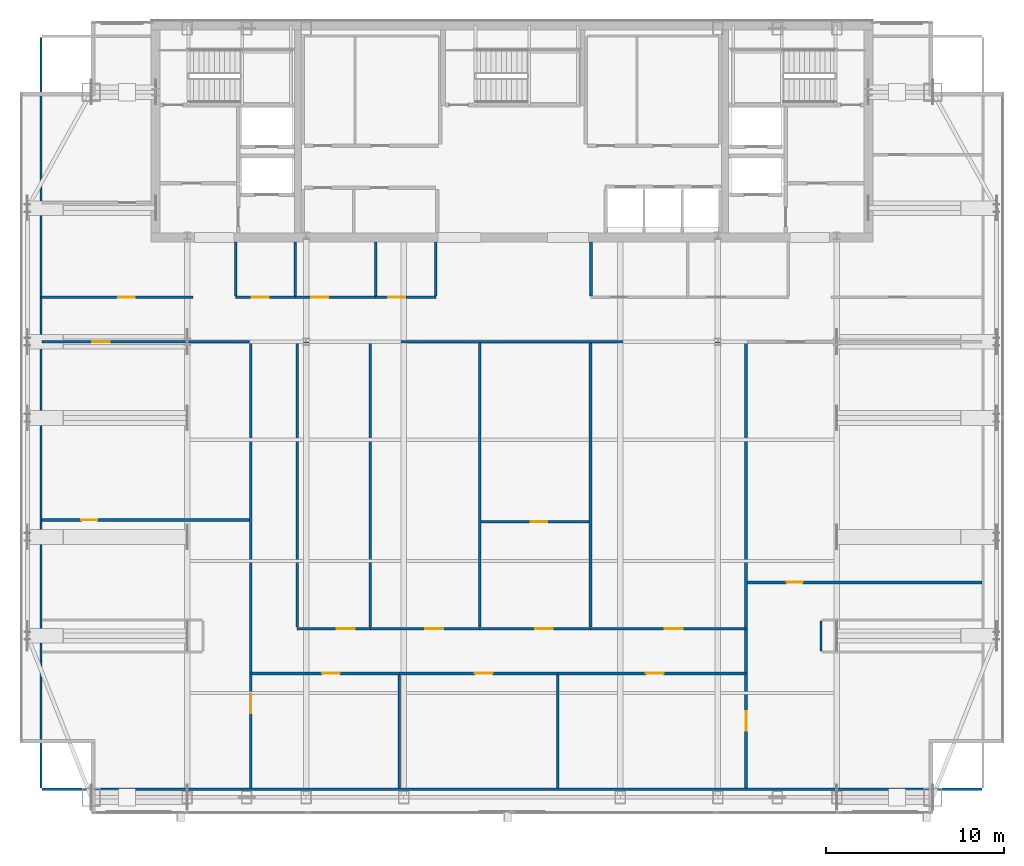
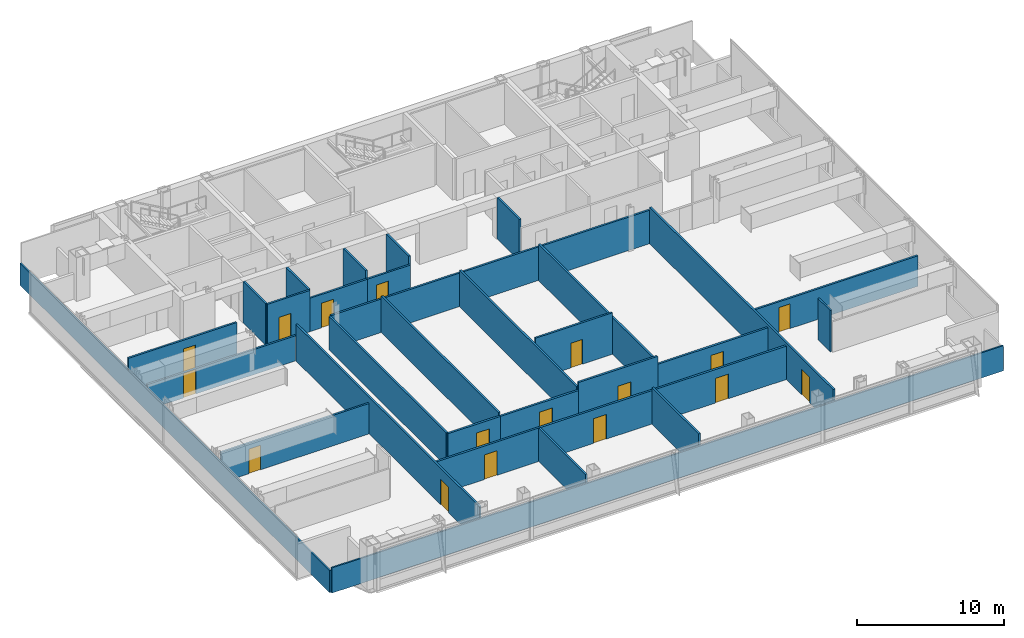
# One storey, part 21 of 26: 32 walls, 17 doors, 17 openings.
"""IFC4 building model written with IfcOpenShell, lengths in metres."""

from ifc_helpers import new_model, si_unit, direction, frame, frame_2d, origin, place, context, subcontext, project, spatial, rectangle, extrude, material, layer, layer_set, type_object, element, fill, save


model = new_model("IFC4")

# Units and contexts
model_context = context("Model", 3, precision=1e-05, world=origin(), true_north=direction((0.0, 1.0)))
body_context = subcontext(model_context, "Body", "Model", "MODEL_VIEW")
ifc_project = project(units=[si_unit("LENGTHUNIT", "METRE"), si_unit("AREAUNIT", "SQUARE_METRE"), si_unit("VOLUMEUNIT", "CUBIC_METRE"), si_unit("PLANEANGLEUNIT", "RADIAN"), si_unit("MASSUNIT", "GRAM", prefix="KILO")], contexts=[model_context])

# Site, building, storey
site_placement = place(None, origin())
site = spatial("IfcSite", under=ifc_project, at=site_placement, CompositionType="ELEMENT")
building_placement = place(site_placement, origin())
building = spatial("IfcBuilding", under=site, at=building_placement, Name="Khoronbel Lancet Exchange", CompositionType="ELEMENT")
storey_placement = place(building_placement, frame((0.0, 0.0, 287.800048828125)))
storey = spatial("IfcBuildingStorey", under=building, at=storey_placement, Name="L74", CompositionType="ELEMENT", Elevation=287.800048828125)

# Walls
ifc_material_1 = material(Name="Acoustic Metal-Stud & Mineral-Wool Gypsum Partition 120 mm", Category="gypsum")
ifc_layer_1 = layer(ifc_material_1, 0.1201171875, Name="Acoustic Metal-Stud & Mineral-Wool Gypsum Partition 120 mm")
ifc_layer_set_1 = layer_set([ifc_layer_1], Name="Acoustic Metal-Stud & Mineral-Wool Gypsum Partition 120 mm")
wall_type_1 = type_object("IfcWallType", Name="WL-PRT120", PredefinedType="PARTITIONING", material=ifc_layer_set_1)
for number, where, z_axis, x_axis, name in (
    (1, (20.949951171875, 38.280029296875, 0.0), (0.0, 0.0, 1.0), (0.0, 1.0, 0.0), "Level L74 interior partition PW-WC-0"),
    (2, (24.300048828125, 38.280029296875, 0.0), (0.0, 0.0, 1.0), (0.0, 1.0, 0.0), "Level L74 interior partition PW-WC-1"),
    (3, (28.800048828125, 38.280029296875, 0.0), (0.0, 0.0, 1.0), (0.0, 1.0, 0.0), "Level L74 interior partition PW-WC-2"),
    (4, (32.179931640625, 38.280029296875, 0.0), (0.0, 0.0, 1.0), (0.0, 1.0, 0.0), "Level L74 interior partition PW-WC-3"),
    (5, (40.8798828125, 38.280029296875, 0.0), (0.0, 0.0, 1.0), (0.0, 1.0, 0.0), "Level L74 interior partition PW-NP-0"),
):
    element("IfcWall", number, at=place(storey_placement, frame(where, z_axis=z_axis, x_axis=x_axis)), inside=storey, type_object=wall_type_1, Name=name, PredefinedType="PARTITIONING", context=body_context, shape_type="SweptSolid", body=[
        extrude(rectangle(XDim=3.02001953125, YDim=0.14990234375, at=frame_2d((1.510009765625, 0.0))), origin(), (0.0, 0.0, 1.0), 3.43994140625),
    ])

# Wall, opening, door
wall_1_placement = place(storey_placement, frame((10.094970703125, 25.699951171875, 0.0), z_axis=(0.0, 0.0, 1.0), x_axis=(1.0, 0.0, 0.0)))
wall_1 = element("IfcWall", 6, at=wall_1_placement, inside=storey, type_object=wall_type_1, Name="Level L74 interior partition PW-Z4-WH", PredefinedType="PARTITIONING", context=body_context, shape_type="SweptSolid", body=[
    extrude(rectangle(XDim=11.625, YDim=0.14990234375, at=frame_2d((5.8125, 0.0))), origin(), (0.0, 0.0, 1.0), 2.530029296875),
])
opening_1_placement = place(wall_1_placement, frame((2.199951171875, 0.0, 0.0)))
opening_1 = element("IfcOpeningElement", 7, at=opening_1_placement, cuts=wall_1, Name="Opening D5", PredefinedType="OPENING", context=body_context, shape_type="SweptSolid", body=[
    extrude(rectangle(XDim=0.89990234375, YDim=2.050048828125, at=frame_2d((0.449951171875, 1.02490234375))), frame((0.0, 0.0849609375, 0.0), z_axis=(0.0, -1.0, 0.0), x_axis=(1.0, 0.0, 0.0)), (0.0, 0.0, 1.0), 0.169921875),
])
ifc_material_2 = material(Name="Acoustic Timber Pantry & Support Door", Category="wood")
door_type_1 = type_object("IfcDoorType", Name="DR-D5", OperationType="NOTDEFINED", PredefinedType="DOOR", material=ifc_material_2)
door_1_placement = place(opening_1_placement, origin())
door_1 = element("IfcDoor", 8, at=door_1_placement, inside=storey, type_object=door_type_1, Name="West lens inner door L74-1", OperationType="SINGLE_SWING_LEFT", OverallHeight=2.050048828125, OverallWidth=0.89990234375, PredefinedType="DOOR", context=body_context, shape_type="SweptSolid", body=[
    extrude(rectangle(XDim=0.89990234375, YDim=2.050048828125, at=frame_2d((0.449951171875, 1.02490234375))), frame((0.0, 0.02490234375, 0.0), z_axis=(0.0, -1.0, 0.0), x_axis=(1.0, 0.0, 0.0)), (0.0, 0.0, 1.0), 0.050048828125),
])
fill(opening_1, door_1)

wall_2_placement = place(storey_placement, frame((49.659912109375, 22.199951171875, 0.0), z_axis=(0.0, 0.0, 1.0), x_axis=(1.0, 0.0, 0.0)))
wall_2 = element("IfcWall", 9, at=wall_2_placement, inside=storey, type_object=wall_type_1, Name="Level L74 interior partition PW-Z4-EH", PredefinedType="PARTITIONING", context=body_context, shape_type="SweptSolid", body=[
    extrude(rectangle(XDim=13.14501953125, YDim=0.14990234375, at=frame_2d((6.572509765625, 0.0))), origin(), (0.0, 0.0, 1.0), 2.530029296875),
])
opening_2_placement = place(wall_2_placement, frame((2.199951171875, 0.0, 0.0)))
opening_2 = element("IfcOpeningElement", 10, at=opening_2_placement, cuts=wall_2, Name="Opening D5", PredefinedType="OPENING", context=body_context, shape_type="SweptSolid", body=[
    extrude(rectangle(XDim=0.89990234375, YDim=2.050048828125, at=frame_2d((0.449951171875, 1.02490234375))), frame((0.0, 0.0849609375, 0.0), z_axis=(0.0, -1.0, 0.0), x_axis=(1.0, 0.0, 0.0)), (0.0, 0.0, 1.0), 0.169921875),
])
door_2_placement = place(opening_2_placement, origin())
door_2 = element("IfcDoor", 11, at=door_2_placement, inside=storey, type_object=door_type_1, Name="East lens inner door L74-1", OperationType="SINGLE_SWING_RIGHT", OverallHeight=2.050048828125, OverallWidth=0.89990234375, PredefinedType="DOOR", context=body_context, shape_type="SweptSolid", body=[
    extrude(rectangle(XDim=0.89990234375, YDim=2.050048828125, at=frame_2d((0.449951171875, 1.02490234375))), frame((0.0, 0.02490234375, 0.0), z_axis=(0.0, -1.0, 0.0), x_axis=(1.0, 0.0, 0.0)), (0.0, 0.0, 1.0), 0.050048828125),
])
fill(opening_2, door_2)

wall_3_placement = place(storey_placement, frame((34.71826171875, 25.607421875, 0.0), z_axis=(0.0, 0.0, 1.0), x_axis=(1.0, 0.0, 0.0)))
wall_3 = element("IfcWall", 12, at=wall_3_placement, inside=storey, type_object=wall_type_1, Name="Level L74 interior partition PW-Z4C-H3", PredefinedType="PARTITIONING", context=body_context, shape_type="SweptSolid", body=[
    extrude(rectangle(XDim=6.056640625, YDim=0.14990234375, at=frame_2d((3.0283203125, 0.0))), origin(), (0.0, 0.0, 1.0), 3.43994140625),
])
opening_3_placement = place(wall_3_placement, frame((2.797607421875, 0.0, 0.0)))
opening_3 = element("IfcOpeningElement", 13, at=opening_3_placement, cuts=wall_3, Name="Opening D5", PredefinedType="OPENING", context=body_context, shape_type="SweptSolid", body=[
    extrude(rectangle(XDim=0.89990234375, YDim=2.050048828125, at=frame_2d((0.449951171875, 1.02490234375))), frame((0.0, 0.0849609375, 0.0), z_axis=(0.0, -1.0, 0.0), x_axis=(1.0, 0.0, 0.0)), (0.0, 0.0, 1.0), 0.169921875),
])
door_3_placement = place(opening_3_placement, origin())
door_3 = element("IfcDoor", 14, at=door_3_placement, inside=storey, type_object=door_type_1, Name="Z4C inner door 3 L74-1", OperationType="SINGLE_SWING_RIGHT", OverallHeight=2.050048828125, OverallWidth=0.89990234375, PredefinedType="DOOR", context=body_context, shape_type="SweptSolid", body=[
    extrude(rectangle(XDim=0.89990234375, YDim=2.050048828125, at=frame_2d((0.449951171875, 1.02490234375))), frame((0.0, 0.02490234375, 0.0), z_axis=(0.0, -1.0, 0.0), x_axis=(1.0, 0.0, 0.0)), (0.0, 0.0, 1.0), 0.050048828125),
])
fill(opening_3, door_3)

# Walls
wall_4_placement = place(storey_placement, frame((10.030029296875, 10.6650390625, 0.0), z_axis=(0.0, 0.0, 1.0), x_axis=(0.0, 1.0, 0.0)))
element("IfcWall", 15, at=wall_4_placement, inside=storey, type_object=wall_type_1, Name="Level L74 interior partition PW-LIN-W", PredefinedType="PARTITIONING", context=body_context, shape_type="SweptSolid", body=[
    extrude(rectangle(XDim=42.10986328125, YDim=0.1201171875, at=frame_2d((21.054931640625, 0.0))), origin(), (0.0, 0.0, 1.0), 1.829833984375),
])
wall_5_placement = place(storey_placement, frame((10.094970703125, 10.60009765625, 0.0), z_axis=(0.0, 0.0, 1.0), x_axis=(1.0, 0.0, 0.0)))
element("IfcWall", 16, at=wall_5_placement, inside=storey, type_object=wall_type_1, Name="Level L74 interior partition PW-LIN-S", PredefinedType="PARTITIONING", context=body_context, shape_type="SweptSolid", body=[
    extrude(rectangle(XDim=52.7099609375, YDim=0.1201171875, at=frame_2d((26.35498046875, 0.0))), origin(), (0.0, 0.0, 1.0), 2.08984375),
])
wall_6_placement = place(storey_placement, frame((53.780029296875, 18.364990234375, 0.0), z_axis=(0.0, 0.0, 1.0), x_axis=(0.0, 1.0, 0.0)))
element("IfcWall", 17, at=wall_6_placement, inside=storey, type_object=wall_type_1, Name="Level L74 interior partition PW-BLK-EW", PredefinedType="PARTITIONING", context=body_context, shape_type="SweptSolid", body=[
    extrude(rectangle(XDim=1.669921875, YDim=0.1201171875, at=frame_2d((0.8349609375, 0.0))), origin(), (0.0, 0.0, 1.0), 3.43994140625),
])

# Wall, opening, door
ifc_material_3 = material(Name="Fire-Rated Twin-Stud Acoustic Gypsum Partition 150 mm", Category="gypsum")
ifc_layer_2 = layer(ifc_material_3, 0.14990234375, Name="Fire-Rated Twin-Stud Acoustic Gypsum Partition 150 mm")
ifc_layer_set_2 = layer_set([ifc_layer_2], Name="Fire-Rated Twin-Stud Acoustic Gypsum Partition 150 mm")
wall_type_2 = type_object("IfcWallType", Name="WL-PRT150C", PredefinedType="PARTITIONING", material=ifc_layer_set_2)
wall_7_placement = place(storey_placement, frame((20.949951171875, 38.199951171875, 0.0), z_axis=(0.0, 0.0, 1.0), x_axis=(1.0, 0.0, 0.0)))
wall_7 = element("IfcWall", 18, at=wall_7_placement, inside=storey, type_object=wall_type_2, Name="Level L74 interior partition PW-WC-S1", PredefinedType="PARTITIONING", context=body_context, shape_type="SweptSolid", body=[
    extrude(rectangle(XDim=3.35009765625, YDim=0.14990234375, at=frame_2d((1.675048828125, 0.0))), origin(), (0.0, 0.0, 1.0), 3.43994140625),
])
opening_4_placement = place(wall_7_placement, frame((0.89990234375, 0.0, 0.0)))
opening_4 = element("IfcOpeningElement", 19, at=opening_4_placement, cuts=wall_7, Name="Opening D4", PredefinedType="OPENING", context=body_context, shape_type="SweptSolid", body=[
    extrude(rectangle(XDim=0.949951171875, YDim=2.050048828125, at=frame_2d((0.47509765625, 1.02490234375))), frame((0.0, 0.0849609375, 0.0), z_axis=(0.0, -1.0, 0.0), x_axis=(1.0, 0.0, 0.0)), (0.0, 0.0, 1.0), 0.169921875),
])
ifc_material_4 = material(Name="Moisture-Resistant HPL Washroom Door", Category="wood")
door_type_2 = type_object("IfcDoorType", Name="DR-D4", OperationType="NOTDEFINED", PredefinedType="DOOR", material=ifc_material_4)
door_4_placement = place(opening_4_placement, origin())
door_4 = element("IfcDoor", 20, at=door_4_placement, inside=storey, type_object=door_type_2, Name="Male washroom door L74-1", OperationType="SINGLE_SWING_RIGHT", OverallHeight=2.050048828125, OverallWidth=0.949951171875, PredefinedType="DOOR", context=body_context, shape_type="SweptSolid", body=[
    extrude(rectangle(XDim=0.949951171875, YDim=2.050048828125, at=frame_2d((0.47509765625, 1.02490234375))), frame((0.0, 0.02490234375, 0.0), z_axis=(0.0, -1.0, 0.0), x_axis=(1.0, 0.0, 0.0)), (0.0, 0.0, 1.0), 0.050048828125),
])
fill(opening_4, door_4)

wall_8_placement = place(storey_placement, frame((24.300048828125, 38.199951171875, 0.0), z_axis=(0.0, 0.0, 1.0), x_axis=(1.0, 0.0, 0.0)))
wall_8 = element("IfcWall", 21, at=wall_8_placement, inside=storey, type_object=wall_type_2, Name="Level L74 interior partition PW-WC-S2", PredefinedType="PARTITIONING", context=body_context, shape_type="SweptSolid", body=[
    extrude(rectangle(XDim=4.5, YDim=0.14990234375, at=frame_2d((2.25, 0.0))), origin(), (0.0, 0.0, 1.0), 2.780029296875),
])
opening_5_placement = place(wall_8_placement, frame((0.89990234375, 0.0, 0.0)))
opening_5 = element("IfcOpeningElement", 22, at=opening_5_placement, cuts=wall_8, Name="Opening D4", PredefinedType="OPENING", context=body_context, shape_type="SweptSolid", body=[
    extrude(rectangle(XDim=0.949951171875, YDim=2.050048828125, at=frame_2d((0.47509765625, 1.02490234375))), frame((0.0, 0.0849609375, 0.0), z_axis=(0.0, -1.0, 0.0), x_axis=(1.0, 0.0, 0.0)), (0.0, 0.0, 1.0), 0.169921875),
])
door_5_placement = place(opening_5_placement, origin())
door_5 = element("IfcDoor", 23, at=door_5_placement, inside=storey, type_object=door_type_2, Name="Female washroom door L74-1", OperationType="SINGLE_SWING_LEFT", OverallHeight=2.050048828125, OverallWidth=0.949951171875, PredefinedType="DOOR", context=body_context, shape_type="SweptSolid", body=[
    extrude(rectangle(XDim=0.949951171875, YDim=2.050048828125, at=frame_2d((0.47509765625, 1.02490234375))), frame((0.0, 0.02490234375, 0.0), z_axis=(0.0, -1.0, 0.0), x_axis=(1.0, 0.0, 0.0)), (0.0, 0.0, 1.0), 0.050048828125),
])
fill(opening_5, door_5)

wall_9_placement = place(storey_placement, frame((28.800048828125, 38.199951171875, 0.0), z_axis=(0.0, 0.0, 1.0), x_axis=(1.0, 0.0, 0.0)))
wall_9 = element("IfcWall", 24, at=wall_9_placement, inside=storey, type_object=wall_type_2, Name="Level L74 interior partition PW-WC-S3", PredefinedType="PARTITIONING", context=body_context, shape_type="SweptSolid", body=[
    extrude(rectangle(XDim=3.3798828125, YDim=0.14990234375, at=frame_2d((1.68994140625, 0.0))), origin(), (0.0, 0.0, 1.0), 2.780029296875),
])
opening_6_placement = place(wall_9_placement, frame((0.699951171875, 0.0, 0.0)))
opening_6 = element("IfcOpeningElement", 25, at=opening_6_placement, cuts=wall_9, Name="Opening D4", PredefinedType="OPENING", context=body_context, shape_type="SweptSolid", body=[
    extrude(rectangle(XDim=0.949951171875, YDim=2.050048828125, at=frame_2d((0.47509765625, 1.02490234375))), frame((0.0, 0.0849609375, 0.0), z_axis=(0.0, -1.0, 0.0), x_axis=(1.0, 0.0, 0.0)), (0.0, 0.0, 1.0), 0.169921875),
])
door_6_placement = place(opening_6_placement, origin())
door_6 = element("IfcDoor", 26, at=door_6_placement, inside=storey, type_object=door_type_2, Name="Accessible WC door L74-1", OperationType="SINGLE_SWING_RIGHT", OverallHeight=2.050048828125, OverallWidth=0.949951171875, PredefinedType="DOOR", context=body_context, shape_type="SweptSolid", body=[
    extrude(rectangle(XDim=0.949951171875, YDim=2.050048828125, at=frame_2d((0.47509765625, 1.02490234375))), frame((0.0, 0.02490234375, 0.0), z_axis=(0.0, -1.0, 0.0), x_axis=(1.0, 0.0, 0.0)), (0.0, 0.0, 1.0), 0.050048828125),
])
fill(opening_6, door_6)

wall_10_placement = place(storey_placement, frame((10.030029296875, 38.199951171875, 0.0), z_axis=(0.0, 0.0, 1.0), x_axis=(1.0, 0.0, 0.0)))
wall_10 = element("IfcWall", 27, at=wall_10_placement, inside=storey, type_object=wall_type_2, Name="Level L74 interior partition PW-NW-S", PredefinedType="PARTITIONING", context=body_context, shape_type="SweptSolid", body=[
    extrude(rectangle(XDim=8.52001953125, YDim=0.14990234375, at=frame_2d((4.260009765625, 0.0))), origin(), (0.0, 0.0, 1.0), 2.780029296875),
])
opening_7_placement = place(wall_10_placement, frame((4.320068359375, 0.0, 0.0)))
opening_7 = element("IfcOpeningElement", 28, at=opening_7_placement, cuts=wall_10, Name="Opening D1", PredefinedType="OPENING", context=body_context, shape_type="SweptSolid", body=[
    extrude(rectangle(XDim=0.949951171875, YDim=2.050048828125, at=frame_2d((0.47509765625, 1.02490234375))), frame((0.0, 0.0849609375, 0.0), z_axis=(0.0, -1.0, 0.0), x_axis=(1.0, 0.0, 0.0)), (0.0, 0.0, 1.0), 0.169921875),
])
ifc_material_5 = material(Name="Acoustic Veneered Timber & Bronze Frame Door", Category="wood")
door_type_3 = type_object("IfcDoorType", Name="DR-D1", OperationType="NOTDEFINED", PredefinedType="DOOR", material=ifc_material_5)
door_7_placement = place(opening_7_placement, origin())
door_7 = element("IfcDoor", 29, at=door_7_placement, inside=storey, type_object=door_type_3, Name="NW corner room door L74-1", OperationType="SINGLE_SWING_LEFT", OverallHeight=2.050048828125, OverallWidth=0.949951171875, PredefinedType="DOOR", context=body_context, shape_type="SweptSolid", body=[
    extrude(rectangle(XDim=0.949951171875, YDim=2.050048828125, at=frame_2d((0.47509765625, 1.02490234375))), frame((0.0, 0.02490234375, 0.0), z_axis=(0.0, -1.0, 0.0), x_axis=(1.0, 0.0, 0.0)), (0.0, 0.0, 1.0), 0.050048828125),
])
fill(opening_7, door_7)

wall_11_placement = place(storey_placement, frame((21.800048828125, 10.6650390625, 0.0), z_axis=(0.0, 0.0, 1.0), x_axis=(0.0, 1.0, 0.0)))
wall_11 = element("IfcWall", 30, at=wall_11_placement, inside=storey, type_object=wall_type_2, Name="Level L74 interior partition PW-Z4-WW", PredefinedType="PARTITIONING", context=body_context, shape_type="SweptSolid", body=[
    extrude(rectangle(XDim=24.955078125, YDim=0.14990234375, at=frame_2d((12.4775390625, 0.0))), origin(), (0.0, 0.0, 1.0), 3.030029296875),
])
opening_8_placement = place(wall_11_placement, frame((4.199951171875, 0.0, 0.0)))
opening_8 = element("IfcOpeningElement", 31, at=opening_8_placement, cuts=wall_11, Name="Opening D6", PredefinedType="OPENING", context=body_context, shape_type="SweptSolid", body=[
    extrude(rectangle(XDim=1.10009765625, YDim=2.10009765625, at=frame_2d((0.550048828125, 1.050048828125))), frame((0.0, 0.0849609375, 0.0), z_axis=(0.0, -1.0, 0.0), x_axis=(1.0, 0.0, 0.0)), (0.0, 0.0, 1.0), 0.169921875),
])
ifc_material_6 = material(Name="Acoustic Bronze-Veneer Executive Suite Door", Category="wood")
door_type_4 = type_object("IfcDoorType", Name="DR-D6", OperationType="NOTDEFINED", PredefinedType="DOOR", material=ifc_material_6)
door_8_placement = place(opening_8_placement, origin())
door_8 = element("IfcDoor", 32, at=door_8_placement, inside=storey, type_object=door_type_4, Name="West lens presidential door L74-1", OperationType="SINGLE_SWING_LEFT", OverallHeight=2.10009765625, OverallWidth=1.10009765625, PredefinedType="DOOR", context=body_context, shape_type="SweptSolid", body=[
    extrude(rectangle(XDim=1.10009765625, YDim=2.10009765625, at=frame_2d((0.550048828125, 1.050048828125))), frame((0.0, 0.02490234375, 0.0), z_axis=(0.0, -1.0, 0.0), x_axis=(1.0, 0.0, 0.0)), (0.0, 0.0, 1.0), 0.050048828125),
])
fill(opening_8, door_8)

wall_12_placement = place(storey_placement, frame((10.094970703125, 35.699951171875, 0.0), z_axis=(0.0, 0.0, 1.0), x_axis=(1.0, 0.0, 0.0)))
wall_12 = element("IfcWall", 33, at=wall_12_placement, inside=storey, type_object=wall_type_2, Name="Level L74 interior partition PW-Z4-WN", PredefinedType="PARTITIONING", context=body_context, shape_type="SweptSolid", body=[
    extrude(rectangle(XDim=11.625, YDim=0.14990234375, at=frame_2d((5.8125, 0.0))), origin(), (0.0, 0.0, 1.0), 2.08984375),
])
opening_9_placement = place(wall_12_placement, frame((2.800048828125, 0.0, 0.0)))
opening_9 = element("IfcOpeningElement", 34, at=opening_9_placement, cuts=wall_12, Name="Opening D2", PredefinedType="OPENING", context=body_context, shape_type="SweptSolid", body=[
    extrude(rectangle(XDim=1.0, YDim=2.050048828125, at=frame_2d((0.5, 1.02490234375))), frame((0.0, 0.0849609375, 0.0), z_axis=(0.0, -1.0, 0.0), x_axis=(1.0, 0.0, 0.0)), (0.0, 0.0, 1.0), 0.169921875),
])
door_type_5 = type_object("IfcDoorType", Name="DR-D2", OperationType="NOTDEFINED", PredefinedType="DOOR", material=ifc_material_5)
door_9_placement = place(opening_9_placement, origin())
door_9 = element("IfcDoor", 35, at=door_9_placement, inside=storey, type_object=door_type_5, Name="West lens north door L74-1", OperationType="SINGLE_SWING_RIGHT", OverallHeight=2.050048828125, OverallWidth=1.0, PredefinedType="DOOR", context=body_context, shape_type="SweptSolid", body=[
    extrude(rectangle(XDim=1.0, YDim=2.050048828125, at=frame_2d((0.5, 1.02490234375))), frame((0.0, 0.02490234375, 0.0), z_axis=(0.0, -1.0, 0.0), x_axis=(1.0, 0.0, 0.0)), (0.0, 0.0, 1.0), 0.050048828125),
])
fill(opening_9, door_9)

# Wall
wall_13_placement = place(storey_placement, frame((24.39990234375, 19.68505859375, 0.0), z_axis=(0.0, 0.0, 1.0), x_axis=(0.0, 1.0, 0.0)))
element("IfcWall", 36, at=wall_13_placement, inside=storey, type_object=wall_type_2, Name="Level L74 interior partition PW-Z4-WE", PredefinedType="PARTITIONING", context=body_context, shape_type="SweptSolid", body=[
    extrude(rectangle(XDim=15.93505859375, YDim=0.14990234375, at=frame_2d((7.967529296875, 0.0))), origin(), (0.0, 0.0, 1.0), 2.780029296875),
])

# Wall, opening, door
wall_14_placement = place(storey_placement, frame((49.580078125, 10.6650390625, 0.0), z_axis=(0.0, 0.0, 1.0), x_axis=(0.0, 1.0, 0.0)))
wall_14 = element("IfcWall", 37, at=wall_14_placement, inside=storey, type_object=wall_type_2, Name="Level L74 interior partition PW-Z4-PE", PredefinedType="PARTITIONING", context=body_context, shape_type="SweptSolid", body=[
    extrude(rectangle(XDim=24.955078125, YDim=0.14990234375, at=frame_2d((12.4775390625, 0.0))), origin(), (0.0, 0.0, 1.0), 3.030029296875),
])
opening_10_placement = place(wall_14_placement, frame((3.199951171875, 0.0, 0.0)))
opening_10 = element("IfcOpeningElement", 38, at=opening_10_placement, cuts=wall_14, Name="Opening D6", PredefinedType="OPENING", context=body_context, shape_type="SweptSolid", body=[
    extrude(rectangle(XDim=1.10009765625, YDim=2.10009765625, at=frame_2d((0.550048828125, 1.050048828125))), frame((0.0, 0.0849609375, 0.0), z_axis=(0.0, -1.0, 0.0), x_axis=(1.0, 0.0, 0.0)), (0.0, 0.0, 1.0), 0.169921875),
])
door_10_placement = place(opening_10_placement, origin())
door_10 = element("IfcDoor", 39, at=door_10_placement, inside=storey, type_object=door_type_4, Name="East lens south door L74-1", OperationType="SINGLE_SWING_RIGHT", OverallHeight=2.10009765625, OverallWidth=1.10009765625, PredefinedType="DOOR", context=body_context, shape_type="SweptSolid", body=[
    extrude(rectangle(XDim=1.10009765625, YDim=2.10009765625, at=frame_2d((0.550048828125, 1.050048828125))), frame((0.0, 0.02490234375, 0.0), z_axis=(0.0, -1.0, 0.0), x_axis=(1.0, 0.0, 0.0)), (0.0, 0.0, 1.0), 0.050048828125),
])
fill(opening_10, door_10)

# Walls
wall_15_placement = place(storey_placement, frame((24.47998046875, 35.699951171875, 0.0), z_axis=(0.0, 0.0, 1.0), x_axis=(1.0, 0.0, 0.0)))
element("IfcWall", 40, at=wall_15_placement, inside=storey, type_object=wall_type_2, Name="Level L74 interior partition PW-Z4-EN1", PredefinedType="PARTITIONING", context=body_context, shape_type="SweptSolid", body=[
    extrude(rectangle(XDim=25.02001953125, YDim=0.14990234375, at=frame_2d((12.510009765625, 0.0))), origin(), (0.0, 0.0, 1.0), 2.780029296875),
])
for number, where, z_axis, x_axis, name in (
    (41, (28.50341796875, 19.68505859375, 0.0), (0.0, 0.0, 1.0), (0.0, 1.0, 0.0), "Level L74 interior partition PW-Z4C-V1"),
    (42, (34.63818359375, 19.68505859375, 0.0), (0.0, 0.0, 1.0), (0.0, 1.0, 0.0), "Level L74 interior partition PW-Z4C-V2"),
    (43, (40.85498046875, 19.68505859375, 0.0), (0.0, 0.0, 1.0), (0.0, 1.0, 0.0), "Level L74 interior partition PW-Z4C-V3"),
):
    element("IfcWall", number, at=place(storey_placement, frame(where, z_axis=z_axis, x_axis=x_axis)), inside=storey, type_object=wall_type_2, Name=name, PredefinedType="PARTITIONING", context=body_context, shape_type="SweptSolid", body=[
        extrude(rectangle(XDim=15.93505859375, YDim=0.14990234375, at=frame_2d((7.967529296875, 0.0))), origin(), (0.0, 0.0, 1.0), 3.030029296875),
    ])
wall_16_placement = place(storey_placement, frame((30.134033203125, 10.6650390625, 0.0), z_axis=(0.0, 0.0, 1.0), x_axis=(0.0, 1.0, 0.0)))
element("IfcWall", 44, at=wall_16_placement, inside=storey, type_object=wall_type_2, Name="Level L74 interior partition PW-Z4S-V1", PredefinedType="PARTITIONING", context=body_context, shape_type="SweptSolid", body=[
    extrude(rectangle(XDim=6.349853515625, YDim=0.14990234375, at=frame_2d((3.1748046875, 0.0))), origin(), (0.0, 0.0, 1.0), 2.780029296875),
])
wall_17_placement = place(storey_placement, frame((39.023681640625, 10.6650390625, 0.0), z_axis=(0.0, 0.0, 1.0), x_axis=(0.0, 1.0, 0.0)))
element("IfcWall", 45, at=wall_17_placement, inside=storey, type_object=wall_type_2, Name="Level L74 interior partition PW-Z4S-V2", PredefinedType="PARTITIONING", context=body_context, shape_type="SweptSolid", body=[
    extrude(rectangle(XDim=6.349853515625, YDim=0.14990234375, at=frame_2d((3.1748046875, 0.0))), origin(), (0.0, 0.0, 1.0), 3.030029296875),
])

# Wall, opening, door
ifc_material_7 = material(Name="Fire-Rated Twin-Stud Acoustic Gypsum Partition 160 mm", Category="gypsum")
ifc_layer_3 = layer(ifc_material_7, 0.159912109375, Name="Fire-Rated Twin-Stud Acoustic Gypsum Partition 160 mm")
ifc_layer_set_3 = layer_set([ifc_layer_3], Name="Fire-Rated Twin-Stud Acoustic Gypsum Partition 160 mm")
wall_type_3 = type_object("IfcWallType", Name="WL-PRT160C", PredefinedType="PARTITIONING", material=ifc_layer_set_3)
wall_18_placement = place(storey_placement, frame((24.39990234375, 19.60009765625, 0.0), z_axis=(0.0, 0.0, 1.0), x_axis=(1.0, 0.0, 0.0)))
wall_18 = element("IfcWall", 46, at=wall_18_placement, inside=storey, type_object=wall_type_3, Name="Level L74 interior partition PW-Z4C-COR1", PredefinedType="PARTITIONING", context=body_context, shape_type="SweptSolid", body=[
    extrude(rectangle(XDim=4.103515625, YDim=0.159912109375, at=frame_2d((2.0517578125, 0.0))), origin(), (0.0, 0.0, 1.0), 2.780029296875),
])
opening_11_placement = place(wall_18_placement, frame((2.223388671875, 0.0, 0.0)))
opening_11 = element("IfcOpeningElement", 47, at=opening_11_placement, cuts=wall_18, Name="Opening D2", PredefinedType="OPENING", context=body_context, shape_type="SweptSolid", body=[
    extrude(rectangle(XDim=1.0, YDim=2.050048828125, at=frame_2d((0.5, 1.02490234375))), frame((0.0, 0.08984375, 0.0), z_axis=(0.0, -1.0, 0.0), x_axis=(1.0, 0.0, 0.0)), (0.0, 0.0, 1.0), 0.179931640625),
])
door_11_placement = place(opening_11_placement, origin())
door_11 = element("IfcDoor", 48, at=door_11_placement, inside=storey, type_object=door_type_5, Name="Z4C bay 1 door L74-1", OperationType="SINGLE_SWING_LEFT", OverallHeight=2.050048828125, OverallWidth=1.0, PredefinedType="DOOR", context=body_context, shape_type="SweptSolid", body=[
    extrude(rectangle(XDim=1.0, YDim=2.050048828125, at=frame_2d((0.5, 1.02490234375))), frame((0.0, 0.02490234375, 0.0), z_axis=(0.0, -1.0, 0.0), x_axis=(1.0, 0.0, 0.0)), (0.0, 0.0, 1.0), 0.050048828125),
])
fill(opening_11, door_11)

wall_19_placement = place(storey_placement, frame((28.50341796875, 19.60009765625, 0.0), z_axis=(0.0, 0.0, 1.0), x_axis=(1.0, 0.0, 0.0)))
wall_19 = element("IfcWall", 49, at=wall_19_placement, inside=storey, type_object=wall_type_3, Name="Level L74 interior partition PW-Z4C-COR2", PredefinedType="PARTITIONING", context=body_context, shape_type="SweptSolid", body=[
    extrude(rectangle(XDim=6.134765625, YDim=0.159912109375, at=frame_2d((3.0673828125, 0.0))), origin(), (0.0, 0.0, 1.0), 2.780029296875),
])
opening_12_placement = place(wall_19_placement, frame((3.07666015625, 0.0, 0.0)))
opening_12 = element("IfcOpeningElement", 50, at=opening_12_placement, cuts=wall_19, Name="Opening D2", PredefinedType="OPENING", context=body_context, shape_type="SweptSolid", body=[
    extrude(rectangle(XDim=1.0, YDim=2.050048828125, at=frame_2d((0.5, 1.02490234375))), frame((0.0, 0.08984375, 0.0), z_axis=(0.0, -1.0, 0.0), x_axis=(1.0, 0.0, 0.0)), (0.0, 0.0, 1.0), 0.179931640625),
])
door_12_placement = place(opening_12_placement, origin())
door_12 = element("IfcDoor", 51, at=door_12_placement, inside=storey, type_object=door_type_5, Name="Z4C bay 2 door L74-1", OperationType="SINGLE_SWING_RIGHT", OverallHeight=2.050048828125, OverallWidth=1.0, PredefinedType="DOOR", context=body_context, shape_type="SweptSolid", body=[
    extrude(rectangle(XDim=1.0, YDim=2.050048828125, at=frame_2d((0.5, 1.02490234375))), frame((0.0, 0.02490234375, 0.0), z_axis=(0.0, -1.0, 0.0), x_axis=(1.0, 0.0, 0.0)), (0.0, 0.0, 1.0), 0.050048828125),
])
fill(opening_12, door_12)

wall_20_placement = place(storey_placement, frame((34.63818359375, 19.60009765625, 0.0), z_axis=(0.0, 0.0, 1.0), x_axis=(1.0, 0.0, 0.0)))
wall_20 = element("IfcWall", 52, at=wall_20_placement, inside=storey, type_object=wall_type_3, Name="Level L74 interior partition PW-Z4C-COR3", PredefinedType="PARTITIONING", context=body_context, shape_type="SweptSolid", body=[
    extrude(rectangle(XDim=6.216796875, YDim=0.159912109375, at=frame_2d((3.1083984375, 0.0))), origin(), (0.0, 0.0, 1.0), 3.43994140625),
])
opening_13_placement = place(wall_20_placement, frame((3.111083984375, 0.0, 0.0)))
opening_13 = element("IfcOpeningElement", 53, at=opening_13_placement, cuts=wall_20, Name="Opening D2", PredefinedType="OPENING", context=body_context, shape_type="SweptSolid", body=[
    extrude(rectangle(XDim=1.0, YDim=2.050048828125, at=frame_2d((0.5, 1.02490234375))), frame((0.0, 0.08984375, 0.0), z_axis=(0.0, -1.0, 0.0), x_axis=(1.0, 0.0, 0.0)), (0.0, 0.0, 1.0), 0.179931640625),
])
door_13_placement = place(opening_13_placement, origin())
door_13 = element("IfcDoor", 54, at=door_13_placement, inside=storey, type_object=door_type_5, Name="Z4C bay 3 door L74-1", OperationType="SINGLE_SWING_LEFT", OverallHeight=2.050048828125, OverallWidth=1.0, PredefinedType="DOOR", context=body_context, shape_type="SweptSolid", body=[
    extrude(rectangle(XDim=1.0, YDim=2.050048828125, at=frame_2d((0.5, 1.02490234375))), frame((0.0, 0.02490234375, 0.0), z_axis=(0.0, -1.0, 0.0), x_axis=(1.0, 0.0, 0.0)), (0.0, 0.0, 1.0), 0.050048828125),
])
fill(opening_13, door_13)

wall_21_placement = place(storey_placement, frame((40.85498046875, 19.60009765625, 0.0), z_axis=(0.0, 0.0, 1.0), x_axis=(1.0, 0.0, 0.0)))
wall_21 = element("IfcWall", 55, at=wall_21_placement, inside=storey, type_object=wall_type_3, Name="Level L74 interior partition PW-Z4C-COR4", PredefinedType="PARTITIONING", context=body_context, shape_type="SweptSolid", body=[
    extrude(rectangle(XDim=8.72509765625, YDim=0.159912109375, at=frame_2d((4.362548828125, 0.0))), origin(), (0.0, 0.0, 1.0), 2.780029296875),
])
opening_14_placement = place(wall_21_placement, frame((4.16455078125, 0.0, 0.0)))
opening_14 = element("IfcOpeningElement", 56, at=opening_14_placement, cuts=wall_21, Name="Opening D2", PredefinedType="OPENING", context=body_context, shape_type="SweptSolid", body=[
    extrude(rectangle(XDim=1.0, YDim=2.050048828125, at=frame_2d((0.5, 1.02490234375))), frame((0.0, 0.08984375, 0.0), z_axis=(0.0, -1.0, 0.0), x_axis=(1.0, 0.0, 0.0)), (0.0, 0.0, 1.0), 0.179931640625),
])
door_14_placement = place(opening_14_placement, origin())
door_14 = element("IfcDoor", 57, at=door_14_placement, inside=storey, type_object=door_type_5, Name="Z4C bay 4 door L74-1", OperationType="SINGLE_SWING_LEFT", OverallHeight=2.050048828125, OverallWidth=1.0, PredefinedType="DOOR", context=body_context, shape_type="SweptSolid", body=[
    extrude(rectangle(XDim=1.0, YDim=2.050048828125, at=frame_2d((0.5, 1.02490234375))), frame((0.0, 0.02490234375, 0.0), z_axis=(0.0, -1.0, 0.0), x_axis=(1.0, 0.0, 0.0)), (0.0, 0.0, 1.0), 0.050048828125),
])
fill(opening_14, door_14)

wall_22_placement = place(storey_placement, frame((21.800048828125, 17.10009765625, 0.0), z_axis=(0.0, 0.0, 1.0), x_axis=(1.0, 0.0, 0.0)))
wall_22 = element("IfcWall", 58, at=wall_22_placement, inside=storey, type_object=wall_type_3, Name="Level L74 interior partition PW-Z4S-COR1", PredefinedType="PARTITIONING", context=body_context, shape_type="SweptSolid", body=[
    extrude(rectangle(XDim=8.333984375, YDim=0.159912109375, at=frame_2d((4.1669921875, 0.0))), origin(), (0.0, 0.0, 1.0), 2.780029296875),
])
opening_15_placement = place(wall_22_placement, frame((4.000244140625, 0.0, 0.0)))
opening_15 = element("IfcOpeningElement", 59, at=opening_15_placement, cuts=wall_22, Name="Opening D2", PredefinedType="OPENING", context=body_context, shape_type="SweptSolid", body=[
    extrude(rectangle(XDim=1.0, YDim=2.050048828125, at=frame_2d((0.5, 1.02490234375))), frame((0.0, 0.08984375, 0.0), z_axis=(0.0, -1.0, 0.0), x_axis=(1.0, 0.0, 0.0)), (0.0, 0.0, 1.0), 0.179931640625),
])
door_15_placement = place(opening_15_placement, origin())
door_15 = element("IfcDoor", 60, at=door_15_placement, inside=storey, type_object=door_type_5, Name="Z4S bay 1 door L74-1", OperationType="SINGLE_SWING_RIGHT", OverallHeight=2.050048828125, OverallWidth=1.0, PredefinedType="DOOR", context=body_context, shape_type="SweptSolid", body=[
    extrude(rectangle(XDim=1.0, YDim=2.050048828125, at=frame_2d((0.5, 1.02490234375))), frame((0.0, 0.02490234375, 0.0), z_axis=(0.0, -1.0, 0.0), x_axis=(1.0, 0.0, 0.0)), (0.0, 0.0, 1.0), 0.050048828125),
])
fill(opening_15, door_15)

wall_23_placement = place(storey_placement, frame((30.134033203125, 17.10009765625, 0.0), z_axis=(0.0, 0.0, 1.0), x_axis=(1.0, 0.0, 0.0)))
wall_23 = element("IfcWall", 61, at=wall_23_placement, inside=storey, type_object=wall_type_3, Name="Level L74 interior partition PW-Z4S-COR2", PredefinedType="PARTITIONING", context=body_context, shape_type="SweptSolid", body=[
    extrude(rectangle(XDim=8.8896484375, YDim=0.159912109375, at=frame_2d((4.44482421875, 0.0))), origin(), (0.0, 0.0, 1.0), 2.780029296875),
])
opening_16_placement = place(wall_23_placement, frame((4.233642578125, 0.0, 0.0)))
opening_16 = element("IfcOpeningElement", 62, at=opening_16_placement, cuts=wall_23, Name="Opening D2", PredefinedType="OPENING", context=body_context, shape_type="SweptSolid", body=[
    extrude(rectangle(XDim=1.0, YDim=2.050048828125, at=frame_2d((0.5, 1.02490234375))), frame((0.0, 0.08984375, 0.0), z_axis=(0.0, -1.0, 0.0), x_axis=(1.0, 0.0, 0.0)), (0.0, 0.0, 1.0), 0.179931640625),
])
door_16_placement = place(opening_16_placement, origin())
door_16 = element("IfcDoor", 63, at=door_16_placement, inside=storey, type_object=door_type_5, Name="Z4S bay 2 door L74-1", OperationType="SINGLE_SWING_LEFT", OverallHeight=2.050048828125, OverallWidth=1.0, PredefinedType="DOOR", context=body_context, shape_type="SweptSolid", body=[
    extrude(rectangle(XDim=1.0, YDim=2.050048828125, at=frame_2d((0.5, 1.02490234375))), frame((0.0, 0.02490234375, 0.0), z_axis=(0.0, -1.0, 0.0), x_axis=(1.0, 0.0, 0.0)), (0.0, 0.0, 1.0), 0.050048828125),
])
fill(opening_16, door_16)

wall_24_placement = place(storey_placement, frame((39.023681640625, 17.10009765625, 0.0), z_axis=(0.0, 0.0, 1.0), x_axis=(1.0, 0.0, 0.0)))
wall_24 = element("IfcWall", 64, at=wall_24_placement, inside=storey, type_object=wall_type_3, Name="Level L74 interior partition PW-Z4S-COR3", PredefinedType="PARTITIONING", context=body_context, shape_type="SweptSolid", body=[
    extrude(rectangle(XDim=10.556396484375, YDim=0.159912109375, at=frame_2d((5.2783203125, 0.0))), origin(), (0.0, 0.0, 1.0), 2.780029296875),
])
opening_17_placement = place(wall_24_placement, frame((4.93359375, 0.0, 0.0)))
opening_17 = element("IfcOpeningElement", 65, at=opening_17_placement, cuts=wall_24, Name="Opening D2", PredefinedType="OPENING", context=body_context, shape_type="SweptSolid", body=[
    extrude(rectangle(XDim=1.0, YDim=2.050048828125, at=frame_2d((0.5, 1.02490234375))), frame((0.0, 0.08984375, 0.0), z_axis=(0.0, -1.0, 0.0), x_axis=(1.0, 0.0, 0.0)), (0.0, 0.0, 1.0), 0.179931640625),
])
door_17_placement = place(opening_17_placement, origin())
door_17 = element("IfcDoor", 66, at=door_17_placement, inside=storey, type_object=door_type_5, Name="Z4S bay 3 door L74-1", OperationType="SINGLE_SWING_RIGHT", OverallHeight=2.050048828125, OverallWidth=1.0, PredefinedType="DOOR", context=body_context, shape_type="SweptSolid", body=[
    extrude(rectangle(XDim=1.0, YDim=2.050048828125, at=frame_2d((0.5, 1.02490234375))), frame((0.0, 0.02490234375, 0.0), z_axis=(0.0, -1.0, 0.0), x_axis=(1.0, 0.0, 0.0)), (0.0, 0.0, 1.0), 0.050048828125),
])
fill(opening_17, door_17)

save(model, "model.ifc")
